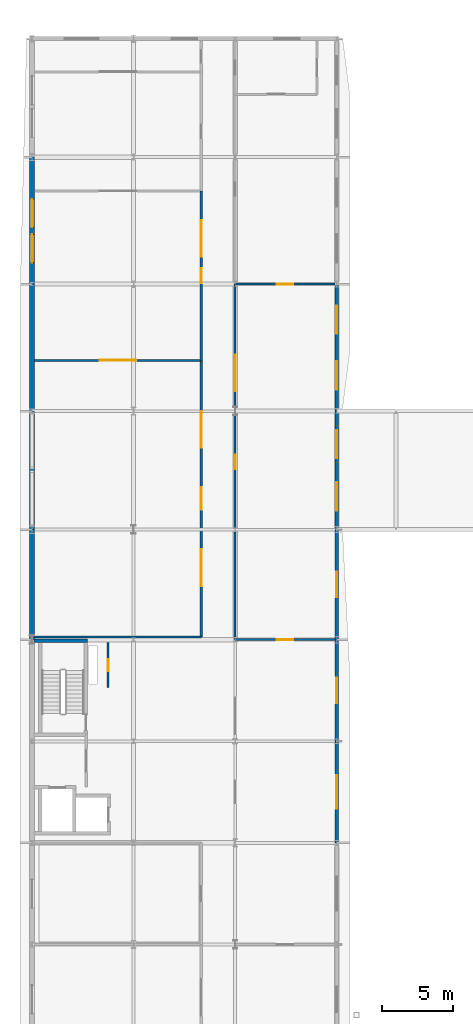
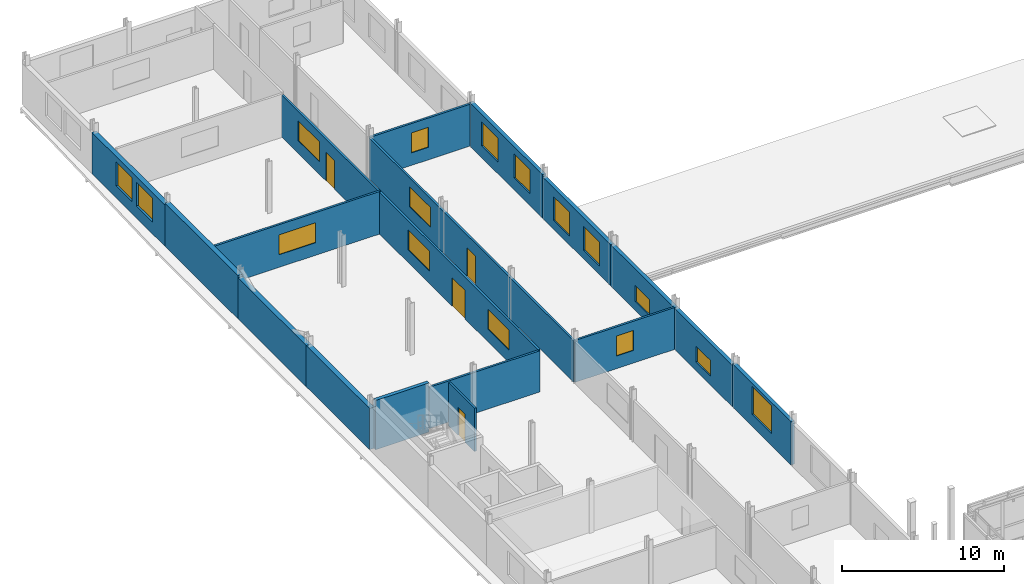
# One storey, part 64 of 78: 18 walls, 16 windows, 4 doors, 20 openings.
"""IFC4 building model written with IfcOpenShell, lengths in metres."""

from ifc_helpers import new_model, si_unit, direction, frame, frame_2d, origin, place, context, subcontext, project, spatial, rectangle, extrude, material, layer, layer_set, type_object, element, fill, save


model = new_model("IFC4")

# Units and contexts
model_context = context("Model", 3, precision=1e-05, world=origin(), true_north=direction((0.0, 1.0)))
body_context = subcontext(model_context, "Body", "Model", "MODEL_VIEW")
ifc_project = project(units=[si_unit("LENGTHUNIT", "METRE"), si_unit("AREAUNIT", "SQUARE_METRE"), si_unit("VOLUMEUNIT", "CUBIC_METRE"), si_unit("PLANEANGLEUNIT", "RADIAN"), si_unit("MASSUNIT", "GRAM", prefix="KILO")], contexts=[model_context])

# Site, building, storey
site_placement = place(None, origin())
site = spatial("IfcSite", under=ifc_project, at=site_placement, CompositionType="ELEMENT")
building_placement = place(site_placement, origin())
building = spatial("IfcBuilding", under=site, at=building_placement, Name="Vinh Khe Railworks Police Headquarters", CompositionType="ELEMENT")
storey_placement = place(building_placement, frame((0.0, 0.0, 13.199951171875)))
storey = spatial("IfcBuildingStorey", under=building, at=storey_placement, Name="L03", CompositionType="ELEMENT", Elevation=13.199951171875)

# Wall
ifc_material_1 = material(Name="Concrete C40/50 (B40)", Category="concrete")
ifc_layer_1 = layer(ifc_material_1, 0.25)
ifc_layer_set_1 = layer_set([ifc_layer_1], Name="Concrete C40/50 (B40)")
wall_type_1 = type_object("IfcWallType", Name="Core Shear Wall 250", PredefinedType="SHEAR", material=ifc_layer_set_1)
wall_1_placement = place(storey_placement, frame((0.75, 88.125, 0.0), z_axis=(0.0, 0.0, 1.0), x_axis=(1.0, 0.0, 0.0)))
element("IfcWall", 1, at=wall_1_placement, inside=storey, type_object=wall_type_1, Name="Core C2 STAIR-N Shear Wall (L03)", PredefinedType="SHEAR", context=body_context, shape_type="SweptSolid", body=[
    extrude(rectangle(XDim=3.800048828125, YDim=0.25, at=frame_2d((1.89990234375, 0.0))), origin(), (0.0, 0.0, 1.0), 3.699951171875),
])

# Wall, opening, window
ifc_material_2 = material(Name="Clay brickwork", Category="masonry")
ifc_layer_2 = layer(ifc_material_2, 0.260009765625)
ifc_layer_set_2 = layer_set([ifc_layer_2], Name="Clay brickwork")
wall_type_2 = type_object("IfcWallType", Name="EW-BRK-260", PredefinedType="SOLIDWALL", material=ifc_layer_set_2)
wall_2_placement = place(storey_placement, frame((22.199951171875, 73.800048828125, 0.0), z_axis=(0.0, 0.0, 1.0), x_axis=(0.0, 1.0, 0.0)))
wall_2 = element("IfcWall", 2, at=wall_2_placement, inside=storey, type_object=wall_type_2, Name="Exterior Brick Wall EW-L03-V5E-10", PredefinedType="SOLIDWALL", context=body_context, shape_type="SweptSolid", body=[
    extrude(rectangle(XDim=7.199951171875, YDim=0.260009765625, at=frame_2d((3.60009765625, 0.0))), origin(), (0.0, 0.0, 1.0), 3.2451171875),
])
opening_1_placement = place(wall_2_placement, frame((2.39990234375, 0.0, 0.89990234375)))
opening_1 = element("IfcOpeningElement", 3, at=opening_1_placement, cuts=wall_2, Name="Opening WN-02", PredefinedType="OPENING", context=body_context, shape_type="SweptSolid", body=[
    extrude(rectangle(XDim=2.39990234375, YDim=2.10009765625, at=frame_2d((1.199951171875, 1.050048828125))), frame((0.0, 0.14501953125, 0.0), z_axis=(0.0, -1.0, 0.0), x_axis=(1.0, 0.0, 0.0)), (0.0, 0.0, 1.0), 0.289794921875),
])
ifc_material_3 = material(Name="Double-glazed solar-control glass in dark steel frame", Category="steel")
window_type_1 = type_object("IfcWindowType", Name="WIN-WN-02", PartitioningType="DOUBLE_PANEL_VERTICAL", PredefinedType="WINDOW", material=ifc_material_3)
window_1_placement = place(opening_1_placement, origin())
window_1 = element("IfcWindow", 4, at=window_1_placement, inside=storey, type_object=window_type_1, Name="Casement Window WN-02", OverallHeight=2.10009765625, OverallWidth=2.39990234375, PartitioningType="SINGLE_PANEL", PredefinedType="WINDOW", context=body_context, shape_type="SweptSolid", body=[
    extrude(rectangle(XDim=2.39990234375, YDim=2.10009765625, at=frame_2d((1.199951171875, 1.050048828125))), frame((0.0, 0.030029296875, 0.0), z_axis=(0.0, -1.0, 0.0), x_axis=(1.0, 0.0, 0.0)), (0.0, 0.0, 1.0), 0.06005859375),
])
fill(opening_1, window_1)

wall_3_placement = place(storey_placement, frame((22.199951171875, 81.0, 0.0), z_axis=(0.0, 0.0, 1.0), x_axis=(0.0, 1.0, 0.0)))
wall_3 = element("IfcWall", 5, at=wall_3_placement, inside=storey, type_object=wall_type_2, Name="Exterior Brick Wall EW-L03-V5E-11", PredefinedType="SOLIDWALL", context=body_context, shape_type="SweptSolid", body=[
    extrude(rectangle(XDim=7.199951171875, YDim=0.260009765625, at=frame_2d((3.60009765625, 0.0))), origin(), (0.0, 0.0, 1.0), 3.094970703125),
])
opening_2_placement = place(wall_3_placement, frame((2.699951171875, 0.0, 0.64990234375)))
opening_2 = element("IfcOpeningElement", 6, at=opening_2_placement, cuts=wall_3, Name="Opening WN-08", PredefinedType="OPENING", context=body_context, shape_type="SweptSolid", body=[
    extrude(rectangle(XDim=1.800048828125, YDim=1.199951171875, at=frame_2d((0.89990234375, 0.60009765625))), frame((0.0, 0.14501953125, 0.0), z_axis=(0.0, -1.0, 0.0), x_axis=(1.0, 0.0, 0.0)), (0.0, 0.0, 1.0), 0.289794921875),
])
window_type_2 = type_object("IfcWindowType", Name="WIN-WN-08", PartitioningType="SINGLE_PANEL", PredefinedType="WINDOW", material=ifc_material_3)
window_2_placement = place(opening_2_placement, origin())
window_2 = element("IfcWindow", 7, at=window_2_placement, inside=storey, type_object=window_type_2, Name="Casement Window WN-08", OverallHeight=1.199951171875, OverallWidth=1.800048828125, PartitioningType="SINGLE_PANEL", PredefinedType="WINDOW", context=body_context, shape_type="SweptSolid", body=[
    extrude(rectangle(XDim=1.800048828125, YDim=1.199951171875, at=frame_2d((0.89990234375, 0.60009765625))), frame((0.0, 0.030029296875, 0.0), z_axis=(0.0, -1.0, 0.0), x_axis=(1.0, 0.0, 0.0)), (0.0, 0.0, 1.0), 0.06005859375),
])
fill(opening_2, window_2)

wall_4_placement = place(storey_placement, frame((22.199951171875, 88.199951171875, 0.0), z_axis=(0.0, 0.0, 1.0), x_axis=(0.0, 1.0, 0.0)))
wall_4 = element("IfcWall", 8, at=wall_4_placement, inside=storey, type_object=wall_type_2, Name="Exterior Brick Wall EW-L03-V5E-12", PredefinedType="SOLIDWALL", context=body_context, shape_type="SweptSolid", body=[
    extrude(rectangle(XDim=7.800048828125, YDim=0.260009765625, at=frame_2d((3.89990234375, 0.0))), origin(), (0.0, 0.0, 1.0), 3.094970703125),
])
opening_3_placement = place(wall_4_placement, frame((3.0, 0.0, 0.64990234375)))
opening_3 = element("IfcOpeningElement", 9, at=opening_3_placement, cuts=wall_4, Name="Opening WN-08", PredefinedType="OPENING", context=body_context, shape_type="SweptSolid", body=[
    extrude(rectangle(XDim=1.800048828125, YDim=1.199951171875, at=frame_2d((0.89990234375, 0.60009765625))), frame((0.0, 0.14501953125, 0.0), z_axis=(0.0, -1.0, 0.0), x_axis=(1.0, 0.0, 0.0)), (0.0, 0.0, 1.0), 0.289794921875),
])
window_3_placement = place(opening_3_placement, origin())
window_3 = element("IfcWindow", 10, at=window_3_placement, inside=storey, type_object=window_type_2, Name="Casement Window WN-08", OverallHeight=1.199951171875, OverallWidth=1.800048828125, PartitioningType="SINGLE_PANEL", PredefinedType="WINDOW", context=body_context, shape_type="SweptSolid", body=[
    extrude(rectangle(XDim=1.800048828125, YDim=1.199951171875, at=frame_2d((0.89990234375, 0.60009765625))), frame((0.0, 0.030029296875, 0.0), z_axis=(0.0, -1.0, 0.0), x_axis=(1.0, 0.0, 0.0)), (0.0, 0.0, 1.0), 0.06005859375),
])
fill(opening_3, window_3)

# Wall, openings, windows
wall_5_placement = place(storey_placement, frame((22.199951171875, 96.0, 0.0), z_axis=(0.0, 0.0, 1.0), x_axis=(0.0, 1.0, 0.0)))
wall_5 = element("IfcWall", 11, at=wall_5_placement, inside=storey, type_object=wall_type_2, Name="Exterior Brick Wall EW-L03-V5E-13", PredefinedType="SOLIDWALL", context=body_context, shape_type="SweptSolid", body=[
    extrude(rectangle(XDim=8.39990234375, YDim=0.260009765625, at=frame_2d((4.199951171875, 0.0))), origin(), (0.0, 0.0, 1.0), 3.094970703125),
])
opening_4_placement = place(wall_5_placement, frame((1.35205078125, 0.0, 0.64990234375)))
opening_4 = element("IfcOpeningElement", 12, at=opening_4_placement, cuts=wall_5, Name="Opening WN-04", PredefinedType="OPENING", context=body_context, shape_type="SweptSolid", body=[
    extrude(rectangle(XDim=2.0, YDim=1.800048828125, at=frame_2d((1.0, 0.89990234375))), frame((0.0, 0.14501953125, 0.0), z_axis=(0.0, -1.0, 0.0), x_axis=(1.0, 0.0, 0.0)), (0.0, 0.0, 1.0), 0.289794921875),
])
opening_5_placement = place(wall_5_placement, frame((5.048095703125, 0.0, 0.64990234375)))
opening_5 = element("IfcOpeningElement", 13, at=opening_5_placement, cuts=wall_5, Name="Opening WN-04", PredefinedType="OPENING", context=body_context, shape_type="SweptSolid", body=[
    extrude(rectangle(XDim=2.0, YDim=1.800048828125, at=frame_2d((1.0, 0.89990234375))), frame((0.0, 0.14501953125, 0.0), z_axis=(0.0, -1.0, 0.0), x_axis=(1.0, 0.0, 0.0)), (0.0, 0.0, 1.0), 0.289794921875),
])
window_type_3 = type_object("IfcWindowType", Name="WIN-WN-04", PartitioningType="DOUBLE_PANEL_VERTICAL", PredefinedType="WINDOW", material=ifc_material_3)
window_4_placement = place(opening_4_placement, origin())
window_4 = element("IfcWindow", 14, at=window_4_placement, inside=storey, type_object=window_type_3, Name="Casement Window WN-04", OverallHeight=1.800048828125, OverallWidth=2.0, PartitioningType="SINGLE_PANEL", PredefinedType="WINDOW", context=body_context, shape_type="SweptSolid", body=[
    extrude(rectangle(XDim=2.0, YDim=1.800048828125, at=frame_2d((1.0, 0.89990234375))), frame((0.0, 0.030029296875, 0.0), z_axis=(0.0, -1.0, 0.0), x_axis=(1.0, 0.0, 0.0)), (0.0, 0.0, 1.0), 0.06005859375),
])
fill(opening_4, window_4)
window_5_placement = place(opening_5_placement, origin())
window_5 = element("IfcWindow", 15, at=window_5_placement, inside=storey, type_object=window_type_3, Name="Casement Window WN-04", OverallHeight=1.800048828125, OverallWidth=2.0, PartitioningType="SINGLE_PANEL", PredefinedType="WINDOW", context=body_context, shape_type="SweptSolid", body=[
    extrude(rectangle(XDim=2.0, YDim=1.800048828125, at=frame_2d((1.0, 0.89990234375))), frame((0.0, 0.030029296875, 0.0), z_axis=(0.0, -1.0, 0.0), x_axis=(1.0, 0.0, 0.0)), (0.0, 0.0, 1.0), 0.06005859375),
])
fill(opening_5, window_5)

wall_6_placement = place(storey_placement, frame((22.199951171875, 104.39990234375, 0.0), z_axis=(0.0, 0.0, 1.0), x_axis=(0.0, 1.0, 0.0)))
wall_6 = element("IfcWall", 16, at=wall_6_placement, inside=storey, type_object=wall_type_2, Name="Exterior Brick Wall EW-L03-V5E-14", PredefinedType="SOLIDWALL", context=body_context, shape_type="SweptSolid", body=[
    extrude(rectangle(XDim=9.0, YDim=0.260009765625, at=frame_2d((4.5, 0.0))), origin(), (0.0, 0.0, 1.0), 3.255126953125),
])
opening_6_placement = place(wall_6_placement, frame((1.52001953125, 0.0, 0.89990234375)))
opening_6 = element("IfcOpeningElement", 17, at=opening_6_placement, cuts=wall_6, Name="Opening WN-04", PredefinedType="OPENING", context=body_context, shape_type="SweptSolid", body=[
    extrude(rectangle(XDim=2.0, YDim=1.800048828125, at=frame_2d((1.0, 0.89990234375))), frame((0.0, 0.14501953125, 0.0), z_axis=(0.0, -1.0, 0.0), x_axis=(1.0, 0.0, 0.0)), (0.0, 0.0, 1.0), 0.289794921875),
])
opening_7_placement = place(wall_6_placement, frame((5.47998046875, 0.0, 0.89990234375)))
opening_7 = element("IfcOpeningElement", 18, at=opening_7_placement, cuts=wall_6, Name="Opening WN-04", PredefinedType="OPENING", context=body_context, shape_type="SweptSolid", body=[
    extrude(rectangle(XDim=2.0, YDim=1.800048828125, at=frame_2d((1.0, 0.89990234375))), frame((0.0, 0.14501953125, 0.0), z_axis=(0.0, -1.0, 0.0), x_axis=(1.0, 0.0, 0.0)), (0.0, 0.0, 1.0), 0.289794921875),
])
window_6_placement = place(opening_6_placement, origin())
window_6 = element("IfcWindow", 19, at=window_6_placement, inside=storey, type_object=window_type_3, Name="Casement Window WN-04", OverallHeight=1.800048828125, OverallWidth=2.0, PartitioningType="SINGLE_PANEL", PredefinedType="WINDOW", context=body_context, shape_type="SweptSolid", body=[
    extrude(rectangle(XDim=2.0, YDim=1.800048828125, at=frame_2d((1.0, 0.89990234375))), frame((0.0, 0.030029296875, 0.0), z_axis=(0.0, -1.0, 0.0), x_axis=(1.0, 0.0, 0.0)), (0.0, 0.0, 1.0), 0.06005859375),
])
fill(opening_6, window_6)
window_7_placement = place(opening_7_placement, origin())
window_7 = element("IfcWindow", 20, at=window_7_placement, inside=storey, type_object=window_type_3, Name="Casement Window WN-04", OverallHeight=1.800048828125, OverallWidth=2.0, PartitioningType="SINGLE_PANEL", PredefinedType="WINDOW", context=body_context, shape_type="SweptSolid", body=[
    extrude(rectangle(XDim=2.0, YDim=1.800048828125, at=frame_2d((1.0, 0.89990234375))), frame((0.0, 0.030029296875, 0.0), z_axis=(0.0, -1.0, 0.0), x_axis=(1.0, 0.0, 0.0)), (0.0, 0.0, 1.0), 0.06005859375),
])
fill(opening_7, window_7)

# Walls
ifc_layer_3 = layer(ifc_material_2, 0.340087890625)
ifc_layer_set_3 = layer_set([ifc_layer_3], Name="Clay brickwork")
wall_type_3 = type_object("IfcWallType", Name="EW-BRK-340", PredefinedType="SOLIDWALL", material=ifc_layer_set_3)
wall_7_placement = place(storey_placement, frame((0.60009765625, 88.199951171875, 0.0), z_axis=(0.0, 0.0, 1.0), x_axis=(0.0, 1.0, 0.0)))
element("IfcWall", 21, at=wall_7_placement, inside=storey, type_object=wall_type_3, Name="Exterior Brick Wall EW-L03-V5W-12", PredefinedType="SOLIDWALL", context=body_context, shape_type="SweptSolid", body=[
    extrude(rectangle(XDim=7.800048828125, YDim=0.340087890625, at=frame_2d((3.89990234375, 0.0))), origin(), (0.0, 0.0, 1.0), 3.094970703125),
])
wall_8_placement = place(storey_placement, frame((0.60009765625, 96.0, 0.0), z_axis=(0.0, 0.0, 1.0), x_axis=(0.0, 1.0, 0.0)))
element("IfcWall", 22, at=wall_8_placement, inside=storey, type_object=wall_type_3, Name="Exterior Brick Wall EW-L03-V5W-13", PredefinedType="SOLIDWALL", context=body_context, shape_type="SweptSolid", body=[
    extrude(rectangle(XDim=8.39990234375, YDim=0.340087890625, at=frame_2d((4.199951171875, 0.0))), origin(), (0.0, 0.0, 1.0), 3.094970703125),
])
wall_9_placement = place(storey_placement, frame((0.60009765625, 104.39990234375, 0.0), z_axis=(0.0, 0.0, 1.0), x_axis=(0.0, 1.0, 0.0)))
element("IfcWall", 23, at=wall_9_placement, inside=storey, type_object=wall_type_3, Name="Exterior Brick Wall EW-L03-V5W-14", PredefinedType="SOLIDWALL", context=body_context, shape_type="SweptSolid", body=[
    extrude(rectangle(XDim=9.0, YDim=0.340087890625, at=frame_2d((4.5, 0.0))), origin(), (0.0, 0.0, 1.0), 3.255126953125),
])

# Wall, openings, windows
wall_10_placement = place(storey_placement, frame((0.60009765625, 113.39990234375, 0.0), z_axis=(0.0, 0.0, 1.0), x_axis=(0.0, 1.0, 0.0)))
wall_10 = element("IfcWall", 24, at=wall_10_placement, inside=storey, type_object=wall_type_3, Name="Exterior Brick Wall EW-L03-V5W-15", PredefinedType="SOLIDWALL", context=body_context, shape_type="SweptSolid", body=[
    extrude(rectangle(XDim=9.0, YDim=0.340087890625, at=frame_2d((4.5, 0.0))), origin(), (0.0, 0.0, 1.0), 3.10498046875),
])
opening_8_placement = place(wall_10_placement, frame((1.52001953125, 0.0, 0.89990234375)))
opening_8 = element("IfcOpeningElement", 25, at=opening_8_placement, cuts=wall_10, Name="Opening WN-04", PredefinedType="OPENING", context=body_context, shape_type="SweptSolid", body=[
    extrude(rectangle(XDim=2.0, YDim=1.800048828125, at=frame_2d((1.0, 0.89990234375))), frame((0.0, 0.18505859375, 0.0), z_axis=(0.0, -1.0, 0.0), x_axis=(1.0, 0.0, 0.0)), (0.0, 0.0, 1.0), 0.369873046875),
])
opening_9_placement = place(wall_10_placement, frame((4.030029296875, 0.0, 0.89990234375)))
opening_9 = element("IfcOpeningElement", 26, at=opening_9_placement, cuts=wall_10, Name="Opening WN-04", PredefinedType="OPENING", context=body_context, shape_type="SweptSolid", body=[
    extrude(rectangle(XDim=2.0, YDim=1.800048828125, at=frame_2d((1.0, 0.89990234375))), frame((0.0, 0.18505859375, 0.0), z_axis=(0.0, -1.0, 0.0), x_axis=(1.0, 0.0, 0.0)), (0.0, 0.0, 1.0), 0.369873046875),
])
window_8_placement = place(opening_8_placement, origin())
window_8 = element("IfcWindow", 27, at=window_8_placement, inside=storey, type_object=window_type_3, Name="Casement Window WN-04", OverallHeight=1.800048828125, OverallWidth=2.0, PartitioningType="SINGLE_PANEL", PredefinedType="WINDOW", context=body_context, shape_type="SweptSolid", body=[
    extrude(rectangle(XDim=2.0, YDim=1.800048828125, at=frame_2d((1.0, 0.89990234375))), frame((0.0, 0.030029296875, 0.0), z_axis=(0.0, -1.0, 0.0), x_axis=(1.0, 0.0, 0.0)), (0.0, 0.0, 1.0), 0.06005859375),
])
fill(opening_8, window_8)
window_9_placement = place(opening_9_placement, origin())
window_9 = element("IfcWindow", 28, at=window_9_placement, inside=storey, type_object=window_type_3, Name="Casement Window WN-04", OverallHeight=1.800048828125, OverallWidth=2.0, PartitioningType="SINGLE_PANEL", PredefinedType="WINDOW", context=body_context, shape_type="SweptSolid", body=[
    extrude(rectangle(XDim=2.0, YDim=1.800048828125, at=frame_2d((1.0, 0.89990234375))), frame((0.0, 0.030029296875, 0.0), z_axis=(0.0, -1.0, 0.0), x_axis=(1.0, 0.0, 0.0)), (0.0, 0.0, 1.0), 0.06005859375),
])
fill(opening_9, window_9)

# Wall
ifc_material_4 = material(Name="Gypsum plasterboard on steel stud", Category="steel")
ifc_layer_4 = layer(ifc_material_4, 0.1201171875)
ifc_layer_set_4 = layer_set([ifc_layer_4], Name="Gypsum plasterboard on steel stud")
wall_type_4 = type_object("IfcWallType", Name="IW-PART-120", PredefinedType="PARTITIONING", material=ifc_layer_set_4)
wall_11_placement = place(storey_placement, frame((0.780029296875, 88.39990234375, 0.0), z_axis=(0.0, 0.0, 1.0), x_axis=(1.0, 0.0, 0.0)))
element("IfcWall", 29, at=wall_11_placement, inside=storey, type_object=wall_type_4, Name="Interior Partition W-L03-V5-BRF3-DIV", PredefinedType="PARTITIONING", context=body_context, shape_type="SweptSolid", body=[
    extrude(rectangle(XDim=11.820068359375, YDim=0.14990234375, at=frame_2d((5.91015625, 0.0))), origin(), (0.0, 0.0, 1.0), 3.094970703125),
])

# Wall, opening, window
wall_12_placement = place(storey_placement, frame((0.780029296875, 108.0, 0.0), z_axis=(0.0, 0.0, 1.0), x_axis=(1.0, 0.0, 0.0)))
wall_12 = element("IfcWall", 30, at=wall_12_placement, inside=storey, type_object=wall_type_4, Name="Interior Partition W-L03-V5-ARCH3-DIV", PredefinedType="PARTITIONING", context=body_context, shape_type="SweptSolid", body=[
    extrude(rectangle(XDim=11.820068359375, YDim=0.14990234375, at=frame_2d((5.91015625, 0.0))), origin(), (0.0, 0.0, 1.0), 3.205078125),
])
opening_10_placement = place(wall_12_placement, frame((4.610107421875, 0.0, 0.949951171875)))
opening_10 = element("IfcOpeningElement", 31, at=opening_10_placement, cuts=wall_12, Name="Opening WN-07", PredefinedType="OPENING", context=body_context, shape_type="SweptSolid", body=[
    extrude(rectangle(XDim=2.60009765625, YDim=1.5, at=frame_2d((1.300048828125, 0.75))), frame((0.0, 0.08984375, 0.0), z_axis=(0.0, -1.0, 0.0), x_axis=(1.0, 0.0, 0.0)), (0.0, 0.0, 1.0), 0.1796875),
])
window_type_4 = type_object("IfcWindowType", Name="WIN-WN-07", PartitioningType="DOUBLE_PANEL_HORIZONTAL", PredefinedType="WINDOW", material=ifc_material_3)
window_10_placement = place(opening_10_placement, origin())
window_10 = element("IfcWindow", 32, at=window_10_placement, inside=storey, type_object=window_type_4, Name="Interior Acoustic Vision Window WN-07", OverallHeight=1.5, OverallWidth=2.60009765625, PartitioningType="SINGLE_PANEL", PredefinedType="WINDOW", context=body_context, shape_type="SweptSolid", body=[
    extrude(rectangle(XDim=2.60009765625, YDim=1.5, at=frame_2d((1.300048828125, 0.75))), frame((0.0, 0.030029296875, 0.0), z_axis=(0.0, -1.0, 0.0), x_axis=(1.0, 0.0, 0.0)), (0.0, 0.0, 1.0), 0.06005859375),
])
fill(opening_10, window_10)

wall_13_placement = place(storey_placement, frame((15.0, 88.199951171875, 0.0), z_axis=(0.0, 0.0, 1.0), x_axis=(1.0, 0.0, 0.0)))
wall_13 = element("IfcWall", 33, at=wall_13_placement, inside=storey, type_object=wall_type_4, Name="Interior Partition W-L03-V5-TECH3-DIV", PredefinedType="PARTITIONING", context=body_context, shape_type="SweptSolid", body=[
    extrude(rectangle(XDim=7.06005859375, YDim=0.14990234375, at=frame_2d((3.530029296875, 0.0))), origin(), (0.0, 0.0, 1.0), 3.14501953125),
])
opening_11_placement = place(wall_13_placement, frame((2.929931640625, 0.0, 0.949951171875)))
opening_11 = element("IfcOpeningElement", 34, at=opening_11_placement, cuts=wall_13, Name="Opening WN-10", PredefinedType="OPENING", context=body_context, shape_type="SweptSolid", body=[
    extrude(rectangle(XDim=1.199951171875, YDim=1.5, at=frame_2d((0.60009765625, 0.75))), frame((0.0, 0.08984375, 0.0), z_axis=(0.0, -1.0, 0.0), x_axis=(1.0, 0.0, 0.0)), (0.0, 0.0, 1.0), 0.1796875),
])
window_type_5 = type_object("IfcWindowType", Name="WIN-WN-10", PartitioningType="SINGLE_PANEL", PredefinedType="WINDOW", material=ifc_material_3)
window_11_placement = place(opening_11_placement, origin())
window_11 = element("IfcWindow", 35, at=window_11_placement, inside=storey, type_object=window_type_5, Name="Interior Acoustic Vision Window WN-10", OverallHeight=1.5, OverallWidth=1.199951171875, PartitioningType="SINGLE_PANEL", PredefinedType="WINDOW", context=body_context, shape_type="SweptSolid", body=[
    extrude(rectangle(XDim=1.199951171875, YDim=1.5, at=frame_2d((0.60009765625, 0.75))), frame((0.0, 0.030029296875, 0.0), z_axis=(0.0, -1.0, 0.0), x_axis=(1.0, 0.0, 0.0)), (0.0, 0.0, 1.0), 0.06005859375),
])
fill(opening_11, window_11)

wall_14_placement = place(storey_placement, frame((15.0, 113.39990234375, 0.0), z_axis=(0.0, 0.0, 1.0), x_axis=(1.0, 0.0, 0.0)))
wall_14 = element("IfcWall", 36, at=wall_14_placement, inside=storey, type_object=wall_type_4, Name="Interior Partition W-L03-V5-AWCL3-DIV", PredefinedType="PARTITIONING", context=body_context, shape_type="SweptSolid", body=[
    extrude(rectangle(XDim=7.06005859375, YDim=0.14990234375, at=frame_2d((3.530029296875, 0.0))), origin(), (0.0, 0.0, 1.0), 3.14501953125),
])
opening_12_placement = place(wall_14_placement, frame((2.929931640625, 0.0, 0.949951171875)))
opening_12 = element("IfcOpeningElement", 37, at=opening_12_placement, cuts=wall_14, Name="Opening WN-10", PredefinedType="OPENING", context=body_context, shape_type="SweptSolid", body=[
    extrude(rectangle(XDim=1.199951171875, YDim=1.5, at=frame_2d((0.60009765625, 0.75))), frame((0.0, 0.08984375, 0.0), z_axis=(0.0, -1.0, 0.0), x_axis=(1.0, 0.0, 0.0)), (0.0, 0.0, 1.0), 0.1796875),
])
window_12_placement = place(opening_12_placement, origin())
window_12 = element("IfcWindow", 38, at=window_12_placement, inside=storey, type_object=window_type_5, Name="Interior Acoustic Vision Window WN-10", OverallHeight=1.5, OverallWidth=1.199951171875, PartitioningType="SINGLE_PANEL", PredefinedType="WINDOW", context=body_context, shape_type="SweptSolid", body=[
    extrude(rectangle(XDim=1.199951171875, YDim=1.5, at=frame_2d((0.60009765625, 0.75))), frame((0.0, 0.030029296875, 0.0), z_axis=(0.0, -1.0, 0.0), x_axis=(1.0, 0.0, 0.0)), (0.0, 0.0, 1.0), 0.06005859375),
])
fill(opening_12, window_12)

# Wall, opening, door
ifc_material_5 = material(Name="Gypsum plasterboard on acoustic steel stud", Category="steel")
ifc_layer_5 = layer(ifc_material_5, 0.14990234375)
ifc_layer_set_5 = layer_set([ifc_layer_5], Name="Gypsum plasterboard on acoustic steel stud")
wall_type_5 = type_object("IfcWallType", Name="IW-PART-150", PredefinedType="PARTITIONING", material=ifc_layer_set_5)
wall_15_placement = place(storey_placement, frame((6.0, 84.800048828125, 0.0), z_axis=(0.0, 0.0, 1.0), x_axis=(0.0, 1.0, 0.0)))
wall_15 = element("IfcWall", 39, at=wall_15_placement, inside=storey, type_object=wall_type_5, Name="Interior Partition W-RSR-C2-E-L03", PredefinedType="PARTITIONING", context=body_context, shape_type="SweptSolid", body=[
    extrude(rectangle(XDim=3.199951171875, YDim=0.14990234375, at=frame_2d((1.60009765625, 0.0))), origin(), (0.0, 0.0, 1.0), 3.2451171875),
])
opening_13_placement = place(wall_15_placement, frame((1.175048828125, 0.0, 0.0)))
opening_13 = element("IfcOpeningElement", 40, at=opening_13_placement, cuts=wall_15, Name="Opening FD-04", PredefinedType="OPENING", context=body_context, shape_type="SweptSolid", body=[
    extrude(rectangle(XDim=0.85009765625, YDim=2.10009765625, at=frame_2d((0.425048828125, 1.050048828125))), frame((0.0, 0.08984375, 0.0), z_axis=(0.0, -1.0, 0.0), x_axis=(1.0, 0.0, 0.0)), (0.0, 0.0, 1.0), 0.1796875),
])
ifc_material_6 = material(Name="Painted galvanised steel", Category="steel")
door_type_1 = type_object("IfcDoorType", Name="FD-850x2100", OperationType="NOTDEFINED", PredefinedType="DOOR", material=ifc_material_6)
door_1_placement = place(opening_13_placement, origin())
door_1 = element("IfcDoor", 41, at=door_1_placement, inside=storey, type_object=door_type_1, Name="Wet Riser Access Door", OperationType="SINGLE_SWING_LEFT", OverallHeight=2.10009765625, OverallWidth=0.85009765625, PredefinedType="DOOR", context=body_context, shape_type="SweptSolid", body=[
    extrude(rectangle(XDim=0.85009765625, YDim=2.10009765625, at=frame_2d((0.425048828125, 1.050048828125))), frame((0.0, 0.02490234375, 0.0), z_axis=(0.0, -1.0, 0.0), x_axis=(1.0, 0.0, 0.0)), (0.0, 0.0, 1.0), 0.050048828125),
])
fill(opening_13, door_1)

# Wall, openings, door, windows
wall_16_placement = place(storey_placement, frame((12.60009765625, 88.39990234375, 0.0), z_axis=(0.0, 0.0, 1.0), x_axis=(0.0, 1.0, 0.0)))
wall_16 = element("IfcWall", 42, at=wall_16_placement, inside=storey, type_object=wall_type_5, Name="Interior Partition W-L03-V5-BRF3-CW", PredefinedType="PARTITIONING", context=body_context, shape_type="SweptSolid", body=[
    extrude(rectangle(XDim=19.60009765625, YDim=0.14990234375, at=frame_2d((9.800048828125, 0.0))), origin(), (0.0, 0.0, 1.0), 3.14501953125),
])
opening_14_placement = place(wall_16_placement, frame((9.0, 0.0, 0.0)))
opening_14 = element("IfcOpeningElement", 43, at=opening_14_placement, cuts=wall_16, Name="Opening D-03", PredefinedType="OPENING", context=body_context, shape_type="SweptSolid", body=[
    extrude(rectangle(XDim=1.60009765625, YDim=2.14990234375, at=frame_2d((0.800048828125, 1.074951171875))), frame((0.0, 0.08984375, 0.0), z_axis=(0.0, -1.0, 0.0), x_axis=(1.0, 0.0, 0.0)), (0.0, 0.0, 1.0), 0.1796875),
])
opening_15_placement = place(wall_16_placement, frame((3.60009765625, 0.0, 0.949951171875)))
opening_15 = element("IfcOpeningElement", 44, at=opening_15_placement, cuts=wall_16, Name="Opening WN-07", PredefinedType="OPENING", context=body_context, shape_type="SweptSolid", body=[
    extrude(rectangle(XDim=2.60009765625, YDim=1.5, at=frame_2d((1.300048828125, 0.75))), frame((0.0, 0.08984375, 0.0), z_axis=(0.0, -1.0, 0.0), x_axis=(1.0, 0.0, 0.0)), (0.0, 0.0, 1.0), 0.1796875),
])
opening_16_placement = place(wall_16_placement, frame((13.39990234375, 0.0, 0.949951171875)))
opening_16 = element("IfcOpeningElement", 45, at=opening_16_placement, cuts=wall_16, Name="Opening WN-07", PredefinedType="OPENING", context=body_context, shape_type="SweptSolid", body=[
    extrude(rectangle(XDim=2.60009765625, YDim=1.5, at=frame_2d((1.300048828125, 0.75))), frame((0.0, 0.08984375, 0.0), z_axis=(0.0, -1.0, 0.0), x_axis=(1.0, 0.0, 0.0)), (0.0, 0.0, 1.0), 0.1796875),
])
door_type_2 = type_object("IfcDoorType", Name="ID-1600x2150", OperationType="DOUBLE_DOOR_SINGLE_SWING", PredefinedType="DOOR", material=ifc_material_6)
door_2_placement = place(opening_14_placement, origin())
door_2 = element("IfcDoor", 46, at=door_2_placement, inside=storey, type_object=door_type_2, Name="Tactical Briefing Room West Door", OperationType="DOUBLE_DOOR_SINGLE_SWING", OverallHeight=2.14990234375, OverallWidth=1.60009765625, PredefinedType="DOOR", context=body_context, shape_type="SweptSolid", body=[
    extrude(rectangle(XDim=1.60009765625, YDim=2.14990234375, at=frame_2d((0.800048828125, 1.074951171875))), frame((0.0, 0.02490234375, 0.0), z_axis=(0.0, -1.0, 0.0), x_axis=(1.0, 0.0, 0.0)), (0.0, 0.0, 1.0), 0.050048828125),
])
fill(opening_14, door_2)
window_13_placement = place(opening_15_placement, origin())
window_13 = element("IfcWindow", 47, at=window_13_placement, inside=storey, type_object=window_type_4, Name="Interior Acoustic Vision Window WN-07", OverallHeight=1.5, OverallWidth=2.60009765625, PartitioningType="SINGLE_PANEL", PredefinedType="WINDOW", context=body_context, shape_type="SweptSolid", body=[
    extrude(rectangle(XDim=2.60009765625, YDim=1.5, at=frame_2d((1.300048828125, 0.75))), frame((0.0, 0.030029296875, 0.0), z_axis=(0.0, -1.0, 0.0), x_axis=(1.0, 0.0, 0.0)), (0.0, 0.0, 1.0), 0.06005859375),
])
fill(opening_15, window_13)
window_14_placement = place(opening_16_placement, origin())
window_14 = element("IfcWindow", 48, at=window_14_placement, inside=storey, type_object=window_type_4, Name="Interior Acoustic Vision Window WN-07", OverallHeight=1.5, OverallWidth=2.60009765625, PartitioningType="SINGLE_PANEL", PredefinedType="WINDOW", context=body_context, shape_type="SweptSolid", body=[
    extrude(rectangle(XDim=2.60009765625, YDim=1.5, at=frame_2d((1.300048828125, 0.75))), frame((0.0, 0.030029296875, 0.0), z_axis=(0.0, -1.0, 0.0), x_axis=(1.0, 0.0, 0.0)), (0.0, 0.0, 1.0), 0.06005859375),
])
fill(opening_16, window_14)

# Wall, openings, door, window
wall_17_placement = place(storey_placement, frame((12.60009765625, 108.0, 0.0), z_axis=(0.0, 0.0, 1.0), x_axis=(0.0, 1.0, 0.0)))
wall_17 = element("IfcWall", 49, at=wall_17_placement, inside=storey, type_object=wall_type_5, Name="Interior Partition W-L03-V5-ARCH3-CW", PredefinedType="PARTITIONING", context=body_context, shape_type="SweptSolid", body=[
    extrude(rectangle(XDim=12.0, YDim=0.14990234375, at=frame_2d((6.0, 0.0))), origin(), (0.0, 0.0, 1.0), 3.14501953125),
])
opening_17_placement = place(wall_17_placement, frame((5.47509765625, 0.0, 0.0)))
opening_17 = element("IfcOpeningElement", 50, at=opening_17_placement, cuts=wall_17, Name="Opening D-02", PredefinedType="OPENING", context=body_context, shape_type="SweptSolid", body=[
    extrude(rectangle(XDim=1.050048828125, YDim=2.14990234375, at=frame_2d((0.52490234375, 1.074951171875))), frame((0.0, 0.08984375, 0.0), z_axis=(0.0, -1.0, 0.0), x_axis=(1.0, 0.0, 0.0)), (0.0, 0.0, 1.0), 0.1796875),
])
opening_18_placement = place(wall_17_placement, frame((7.340087890625, 0.0, 0.949951171875)))
opening_18 = element("IfcOpeningElement", 51, at=opening_18_placement, cuts=wall_17, Name="Opening WN-07", PredefinedType="OPENING", context=body_context, shape_type="SweptSolid", body=[
    extrude(rectangle(XDim=2.60009765625, YDim=1.5, at=frame_2d((1.300048828125, 0.75))), frame((0.0, 0.08984375, 0.0), z_axis=(0.0, -1.0, 0.0), x_axis=(1.0, 0.0, 0.0)), (0.0, 0.0, 1.0), 0.1796875),
])
ifc_material_7 = material(Name="Seasoned hardwood timber", Category="wood")
door_type_3 = type_object("IfcDoorType", Name="ID-1050x2150", OperationType="NOTDEFINED", PredefinedType="DOOR", material=ifc_material_7)
door_3_placement = place(opening_17_placement, origin())
door_3 = element("IfcDoor", 52, at=door_3_placement, inside=storey, type_object=door_type_3, Name="Active Case File Registry Door", OperationType="SINGLE_SWING_RIGHT", OverallHeight=2.14990234375, OverallWidth=1.050048828125, PredefinedType="DOOR", context=body_context, shape_type="SweptSolid", body=[
    extrude(rectangle(XDim=1.050048828125, YDim=2.14990234375, at=frame_2d((0.52490234375, 1.074951171875))), frame((0.0, 0.02490234375, 0.0), z_axis=(0.0, -1.0, 0.0), x_axis=(1.0, 0.0, 0.0)), (0.0, 0.0, 1.0), 0.050048828125),
])
fill(opening_17, door_3)
window_15_placement = place(opening_18_placement, origin())
window_15 = element("IfcWindow", 53, at=window_15_placement, inside=storey, type_object=window_type_4, Name="Interior Acoustic Vision Window WN-07", OverallHeight=1.5, OverallWidth=2.60009765625, PartitioningType="SINGLE_PANEL", PredefinedType="WINDOW", context=body_context, shape_type="SweptSolid", body=[
    extrude(rectangle(XDim=2.60009765625, YDim=1.5, at=frame_2d((1.300048828125, 0.75))), frame((0.0, 0.030029296875, 0.0), z_axis=(0.0, -1.0, 0.0), x_axis=(1.0, 0.0, 0.0)), (0.0, 0.0, 1.0), 0.06005859375),
])
fill(opening_18, window_15)

wall_18_placement = place(storey_placement, frame((15.0, 88.199951171875, 0.0), z_axis=(0.0, 0.0, 1.0), x_axis=(0.0, 1.0, 0.0)))
wall_18 = element("IfcWall", 54, at=wall_18_placement, inside=storey, type_object=wall_type_5, Name="Interior Partition W-L03-V5-TECH3-CE", PredefinedType="PARTITIONING", context=body_context, shape_type="SweptSolid", body=[
    extrude(rectangle(XDim=25.199951171875, YDim=0.14990234375, at=frame_2d((12.60009765625, 0.0))), origin(), (0.0, 0.0, 1.0), 3.10498046875),
])
opening_19_placement = place(wall_18_placement, frame((12.074951171875, 0.0, 0.0)))
opening_19 = element("IfcOpeningElement", 55, at=opening_19_placement, cuts=wall_18, Name="Opening D-02", PredefinedType="OPENING", context=body_context, shape_type="SweptSolid", body=[
    extrude(rectangle(XDim=1.050048828125, YDim=2.14990234375, at=frame_2d((0.52490234375, 1.074951171875))), frame((0.0, 0.08984375, 0.0), z_axis=(0.0, -1.0, 0.0), x_axis=(1.0, 0.0, 0.0)), (0.0, 0.0, 1.0), 0.1796875),
])
opening_20_placement = place(wall_18_placement, frame((17.60009765625, 0.0, 0.949951171875)))
opening_20 = element("IfcOpeningElement", 56, at=opening_20_placement, cuts=wall_18, Name="Opening WN-07", PredefinedType="OPENING", context=body_context, shape_type="SweptSolid", body=[
    extrude(rectangle(XDim=2.60009765625, YDim=1.5, at=frame_2d((1.300048828125, 0.75))), frame((0.0, 0.08984375, 0.0), z_axis=(0.0, -1.0, 0.0), x_axis=(1.0, 0.0, 0.0)), (0.0, 0.0, 1.0), 0.1796875),
])
door_4_placement = place(opening_19_placement, origin())
door_4 = element("IfcDoor", 57, at=door_4_placement, inside=storey, type_object=door_type_3, Name="Audio and Video Enhancement Room Door", OperationType="SINGLE_SWING_LEFT", OverallHeight=2.14990234375, OverallWidth=1.050048828125, PredefinedType="DOOR", context=body_context, shape_type="SweptSolid", body=[
    extrude(rectangle(XDim=1.050048828125, YDim=2.14990234375, at=frame_2d((0.52490234375, 1.074951171875))), frame((0.0, 0.02490234375, 0.0), z_axis=(0.0, -1.0, 0.0), x_axis=(1.0, 0.0, 0.0)), (0.0, 0.0, 1.0), 0.050048828125),
])
fill(opening_19, door_4)
window_16_placement = place(opening_20_placement, origin())
window_16 = element("IfcWindow", 58, at=window_16_placement, inside=storey, type_object=window_type_4, Name="Interior Acoustic Vision Window WN-07", OverallHeight=1.5, OverallWidth=2.60009765625, PartitioningType="SINGLE_PANEL", PredefinedType="WINDOW", context=body_context, shape_type="SweptSolid", body=[
    extrude(rectangle(XDim=2.60009765625, YDim=1.5, at=frame_2d((1.300048828125, 0.75))), frame((0.0, 0.030029296875, 0.0), z_axis=(0.0, -1.0, 0.0), x_axis=(1.0, 0.0, 0.0)), (0.0, 0.0, 1.0), 0.06005859375),
])
fill(opening_20, window_16)

save(model, "model.ifc")
